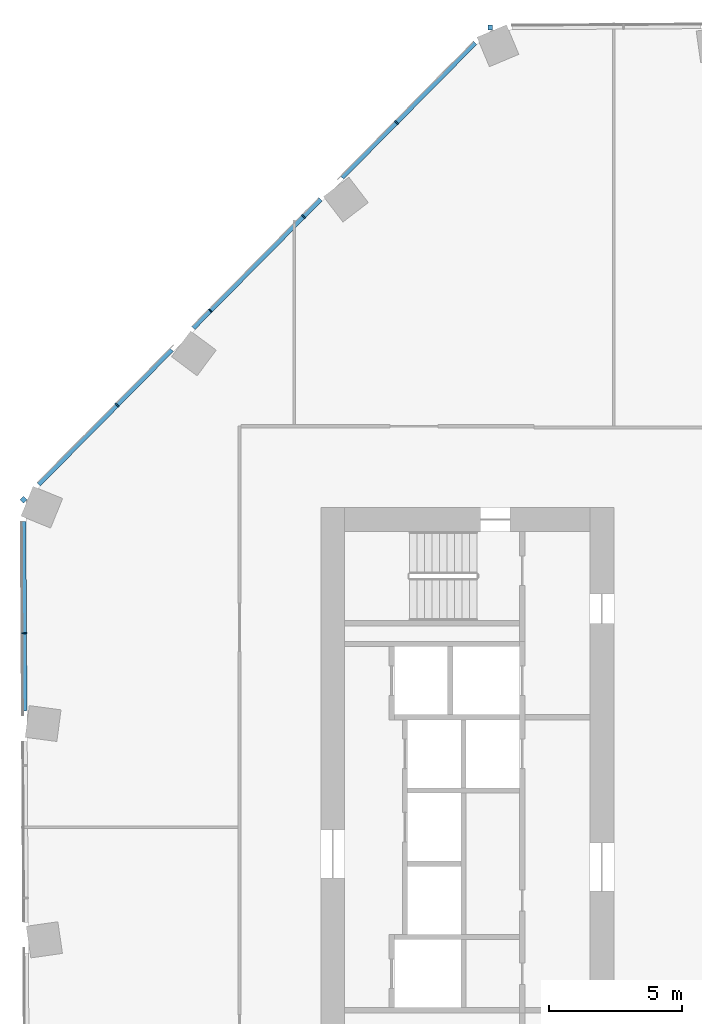
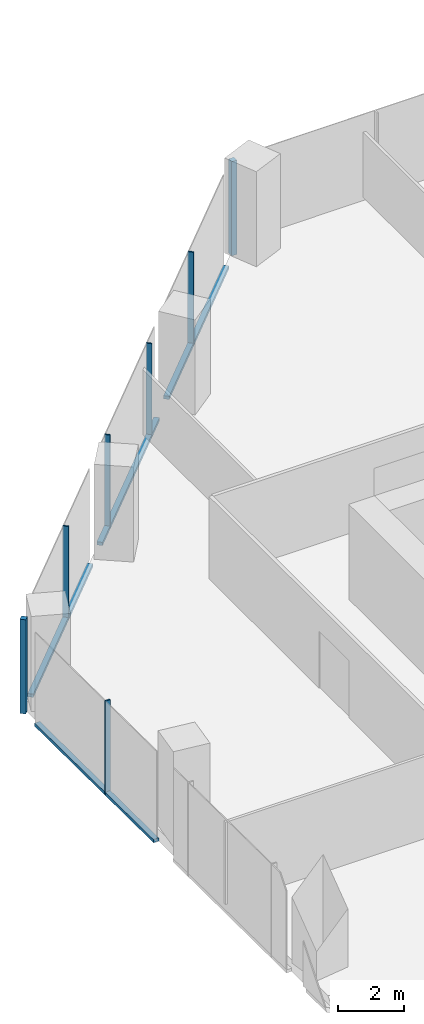
# One storey, part 9 of 27: 11 members, 3 elements without a shape of their own.
"""IFC4 building model written with IfcOpenShell, lengths in metres."""

import ifcopenshell
import ifcopenshell.guid

model = None  # the IFC model being written
_history = None  # IfcOwnerHistory: only IFC2X3 demands one
_inside = {}  # id of a spatial element -> (the spatial element, [elements in it])
_under = {}  # id of a project, library or spatial element -> (it, [spatial elements below it])
_declared = {}  # id of a project -> (the project, [libraries it declares])
_typed = {}  # id of a type object -> (the type object, [elements of that type])
_made_of = {}  # id of a material, layer set ... -> (it, [elements and type objects made of it])


def new_model(schema):
    """Start an empty IFC model of exactly this schema.

    Asked for "IFC4X3", IfcOpenShell would pick the latest addendum, in which some entities
    have other attributes; the version numbers below select the first issue.
    IFC2X3 requires an IfcOwnerHistory on every rooted entity: one is made here for all.
    """
    global model, _history
    if schema == "IFC4X3":
        model = ifcopenshell.file(schema_version=(4, 3, 0, 0))
    else:
        model = ifcopenshell.file(schema=schema)
    _inside.clear()
    _under.clear()
    _declared.clear()
    _typed.clear()
    _made_of.clear()
    _history = None
    if model.schema == "IFC2X3":
        org = make("IfcOrganization", Name="unknown")
        user = make(
            "IfcPersonAndOrganization",
            ThePerson=make("IfcPerson", FamilyName="unknown"),
            TheOrganization=org,
        )
        app = make(
            "IfcApplication",
            ApplicationDeveloper=org,
            Version="unknown",
            ApplicationFullName="unknown",
            ApplicationIdentifier="unknown",
        )
        _history = make(
            "IfcOwnerHistory",
            OwningUser=user,
            OwningApplication=app,
            ChangeAction="ADDED",
            CreationDate=0,
        )
    return model


def make(cls, **values):
    """One entity of the class cls with the attributes given. An attribute that is None is left unset."""
    return model.create_entity(
        cls, **{name: value for name, value in values.items() if value is not None}
    )


def rooted(cls, **values):
    """An entity with a GlobalId (a new one), such as an element, a storey or a relation."""
    return make(cls, GlobalId=ifcopenshell.guid.new(), OwnerHistory=_history, **values)


def si_unit(unit_type, name, prefix=None):
    """IfcSIUnit, for example si_unit("LENGTHUNIT", "METRE", prefix="MILLI")."""
    return make("IfcSIUnit", UnitType=unit_type, Prefix=prefix, Name=name)


def assignment(units):
    """IfcUnitAssignment: the units of a project."""
    return None if units is None else make("IfcUnitAssignment", Units=units)


def point(xyz):
    """IfcCartesianPoint."""
    return None if xyz is None else make("IfcCartesianPoint", Coordinates=xyz)


def direction(xyz):
    """IfcDirection."""
    return None if xyz is None else make("IfcDirection", DirectionRatios=xyz)


def frame(location, z_axis=None, x_axis=None):
    """IfcAxis2Placement3D, a coordinate frame: its origin and axes. An axis left out is left unset."""
    return make(
        "IfcAxis2Placement3D",
        Location=point(location),
        Axis=direction(z_axis),
        RefDirection=direction(x_axis),
    )


def frame_2d(location, x_axis=None):
    """IfcAxis2Placement2D, a coordinate frame in the plane: its origin and x axis."""
    return make(
        "IfcAxis2Placement2D", Location=point(location), RefDirection=direction(x_axis)
    )


def origin():
    """The frame at (0, 0, 0) with its axes left unset."""
    return frame((0.0, 0.0, 0.0))


def origin_2d():
    """The frame at (0, 0) in the plane with its x axis left unset."""
    return frame_2d((0.0, 0.0))


def place(relative_to, where):
    """IfcLocalPlacement: puts the frame where relative to a parent placement (None: the world)."""
    return make(
        "IfcLocalPlacement", PlacementRelTo=relative_to, RelativePlacement=where
    )


def context(
    kind, dimensions, precision=None, world=None, true_north=None, identifier=None
):
    """IfcGeometricRepresentationContext, for example the 3D "Model" context."""
    return make(
        "IfcGeometricRepresentationContext",
        ContextIdentifier=identifier,
        ContextType=kind,
        CoordinateSpaceDimension=dimensions,
        Precision=precision,
        WorldCoordinateSystem=world,
        TrueNorth=true_north,
    )


def subcontext(parent, identifier, kind, view, scale=None):
    """IfcGeometricRepresentationSubContext, for example "Body" below "Model"."""
    return make(
        "IfcGeometricRepresentationSubContext",
        ContextIdentifier=identifier,
        ContextType=kind,
        ParentContext=parent,
        TargetScale=scale,
        TargetView=view,
    )


def project(units=None, contexts=None):
    """IfcProject with its units and contexts."""
    return rooted(
        "IfcProject",
        Name="project",
        RepresentationContexts=contexts,
        UnitsInContext=assignment(units),
    )


def spatial(cls, under=None, at=None, **own):
    """A site, building, storey or space (cls), placed at a placement, below another one or the project."""
    s = rooted(cls, ObjectPlacement=at, **own)
    if under is not None:
        _under.setdefault(under.id(), (under, []))[1].append(s)
    return s


def profile(cls, at=None, kind="AREA", **sizes):
    """A parametric profile (cls). Its sizes go by their IFC names, for example OverallWidth=200.0."""
    return make(cls, ProfileType=kind, Position=at, **sizes)


def rectangle(**sizes):
    """IfcRectangleProfileDef."""
    return profile("IfcRectangleProfileDef", **sizes)


def extrude(swept, where, along, depth):
    """IfcExtrudedAreaSolid: the profile swept, set in the frame where, extruded along a direction by depth."""
    return make(
        "IfcExtrudedAreaSolid",
        SweptArea=swept,
        Position=where,
        ExtrudedDirection=direction(along),
        Depth=depth,
    )


def shape(context_of_items, identifier, shape_type, items):
    """IfcShapeRepresentation: the items that make up one representation, for example the "Body"."""
    return make(
        "IfcShapeRepresentation",
        ContextOfItems=context_of_items,
        RepresentationIdentifier=identifier,
        RepresentationType=shape_type,
        Items=items,
    )


def material(Name=None, Category=None):
    """IfcMaterial."""
    return make("IfcMaterial", Name=Name, Category=Category)


def material_profile(
    of_material, cross_section, Name=None, Category=None, Priority=None
):
    """IfcMaterialProfile: a cross section and its material."""
    return make(
        "IfcMaterialProfile",
        Name=Name,
        Material=of_material,
        Profile=cross_section,
        Priority=Priority,
        Category=Category,
    )


def profile_set(profiles, Name=None, composite=None):
    """IfcMaterialProfileSet."""
    return make(
        "IfcMaterialProfileSet",
        Name=Name,
        MaterialProfiles=profiles,
        CompositeProfile=composite,
    )


def made_of(thing, what):
    """Note that an element or type object is made of a material, layer set ...; save() writes the relation."""
    if what is not None:
        _made_of.setdefault(what.id(), (what, []))[1].append(thing)
    return thing


def type_object(cls, material=None, **own):
    """A type object (cls), such as IfcWallType, which elements share."""
    return made_of(rooted(cls, **own), material)


def element(
    cls,
    number,
    at=None,
    inside=None,
    cuts=None,
    type_object=None,
    material=None,
    context=None,
    identifier="Body",
    shape_type=None,
    held_by="IfcProductDefinitionShape",
    body=None,
    shapes=None,
    **own,
):
    """One element of the class cls, such as IfcWall. Its Tag is "e" and its number.

    at: its placement. inside: the storey or other place that contains it. cuts: it is an
    opening in that element (IfcRelVoidsElement). A single representation is given by context,
    identifier, shape_type and body (its items); several are given by shapes. held_by: the class
    of the entity that holds the representations. save() writes the other relations.
    """
    e = rooted(cls, Tag="e%d" % number, ObjectPlacement=at, **own)
    if body is not None:
        shapes = [shape(context, identifier, shape_type, body)]
    if shapes is not None:
        e.Representation = make(held_by, Representations=shapes)
    if inside is not None:
        _inside.setdefault(inside.id(), (inside, []))[1].append(e)
    if cuts is not None:
        rooted(
            "IfcRelVoidsElement", RelatingBuildingElement=cuts, RelatedOpeningElement=e
        )
    if type_object is not None:
        _typed.setdefault(type_object.id(), (type_object, []))[1].append(e)
    return made_of(e, material)


def aggregate(whole, parts):
    """IfcRelAggregates: a whole, such as a stair, and the parts it consists of."""
    return rooted("IfcRelAggregates", RelatingObject=whole, RelatedObjects=parts)


def save(model, path):
    """Write the relations noted so far, then the file.

    IfcRelAggregates (storeys below a building ...), IfcRelContainedInSpatialStructure (elements
    in a storey), IfcRelDefinesByType, IfcRelAssociatesMaterial and IfcRelDeclares: one each for
    every whole, place, type object, material and project.
    """
    for whole, parts in _under.values():
        aggregate(whole, parts)
    for where, things in _inside.values():
        rooted(
            "IfcRelContainedInSpatialStructure",
            RelatedElements=things,
            RelatingStructure=where,
        )
    for kind, things in _typed.values():
        rooted("IfcRelDefinesByType", RelatedObjects=things, RelatingType=kind)
    for what, things in _made_of.values():
        rooted("IfcRelAssociatesMaterial", RelatedObjects=things, RelatingMaterial=what)
    for by, libraries in _declared.values():
        rooted("IfcRelDeclares", RelatingContext=by, RelatedDefinitions=libraries)
    model.write(path)


model = new_model("IFC4")

# Units and contexts
model_context = context("Model", 3, precision=1e-05, world=origin(), true_north=direction((0.0, 1.0)))
body_context = subcontext(model_context, "Body", "Model", "MODEL_VIEW")
ifc_project = project(units=[si_unit("LENGTHUNIT", "METRE"), si_unit("AREAUNIT", "SQUARE_METRE"), si_unit("VOLUMEUNIT", "CUBIC_METRE"), si_unit("PLANEANGLEUNIT", "RADIAN"), si_unit("MASSUNIT", "GRAM", prefix="KILO")], contexts=[model_context])

# Site, building, storey
site_placement = place(None, origin())
site = spatial("IfcSite", under=ifc_project, at=site_placement, CompositionType="ELEMENT")
building_placement = place(site_placement, origin())
building = spatial("IfcBuilding", under=site, at=building_placement, Name="Orlundy Tower", CompositionType="ELEMENT")
storey_placement = place(building_placement, frame((0.0, 0.0, 199.10009765625)))
storey = spatial("IfcBuildingStorey", under=building, at=storey_placement, Name="L52", CompositionType="ELEMENT", Elevation=199.10009765625)

# Curtain wall, member
ifc_material_1 = material(Name="Aluminium bronze anodised", Category="aluminium")
curtain_wall_type = type_object("IfcCurtainWallType", Name="CW1 wall", PredefinedType="NOTDEFINED", material=ifc_material_1)
curtain_wall_1_placement = place(storey_placement, origin())
curtain_wall_1 = element("IfcCurtainWall", 1, at=curtain_wall_1_placement, inside=storey, type_object=curtain_wall_type, Name="CW1 run 03", PredefinedType="NOTDEFINED")
ifc_material_2 = material(Name="Aluminium bronze anodised", Category="aluminium")
ifc_material_profile_1 = material_profile(ifc_material_2, rectangle(XDim=0.179931640625, YDim=0.179931640625, at=origin_2d()), Name="CW1 corner post 180x180")
ifc_profile_set_1 = profile_set([ifc_material_profile_1], Name="Aluminium bronze anodised")
member_type_1 = type_object("IfcMemberType", Name="CW1 corner post 180x180", PredefinedType="MULLION", material=ifc_profile_set_1)
member_1_placement = place(storey_placement, frame((-30.162109375, 12.288818359375, -0.420166015625), z_axis=(0.0, 0.0, 1.0), x_axis=(-0.711199102506, 0.702990637629, 0.0)))
member_1 = element("IfcMember", 2, at=member_1_placement, type_object=member_type_1, Name="CW1 mullion 14", PredefinedType="MULLION", context=body_context, shape_type="SweptSolid", body=[
    extrude(rectangle(XDim=0.179931640625, YDim=0.179931640625, at=origin_2d()), origin(), (0.0, 0.0, 1.0), 3.469970703125),
])

curtain_wall_2_placement = place(storey_placement, origin())
curtain_wall_2 = element("IfcCurtainWall", 3, at=curtain_wall_2_placement, inside=storey, type_object=curtain_wall_type, Name="CW1 run 04", PredefinedType="NOTDEFINED")
member_2_placement = place(storey_placement, frame((-12.638916015625, 30.016845703125, -0.420166015625), z_axis=(0.0, 0.0, 1.0), x_axis=(-0.005834206419, 0.999982980873, 0.0)))
member_2 = element("IfcMember", 4, at=member_2_placement, type_object=member_type_1, Name="CW1 mullion 19", PredefinedType="MULLION", context=body_context, shape_type="SweptSolid", body=[
    extrude(rectangle(XDim=0.179931640625, YDim=0.179931640625, at=origin_2d()), origin(), (0.0, 0.0, 1.0), 3.469970703125),
])
aggregate(curtain_wall_2, [member_2])

curtain_wall_3_placement = place(storey_placement, origin())
curtain_wall_3 = element("IfcCurtainWall", 5, at=curtain_wall_3_placement, inside=storey, type_object=curtain_wall_type, Name="CW1 run 02", PredefinedType="NOTDEFINED")
ifc_material_3 = material(Name="Aluminium bronze anodised", Category="aluminium")
ifc_material_profile_2 = material_profile(ifc_material_3, rectangle(XDim=0.179931640625, YDim=0.050048828125, at=origin_2d()), Name="CW1 mullion 50x180")
ifc_profile_set_2 = profile_set([ifc_material_profile_2], Name="Aluminium bronze anodised")
member_type_2 = type_object("IfcMemberType", Name="CW1 mullion 50x180", PredefinedType="MULLION", material=ifc_profile_set_2)
member_3_placement = place(storey_placement, frame((-30.133056640625, 7.28076171875, -0.420166015625), z_axis=(0.0, 0.0, 1.0), x_axis=(-0.999982980873, -0.005834206419, 0.0)))
member_3 = element("IfcMember", 6, at=member_3_placement, type_object=member_type_2, Name="CW1 mullion 13", PredefinedType="MULLION", context=body_context, shape_type="SweptSolid", body=[
    extrude(rectangle(XDim=0.179931640625, YDim=0.050048828125, at=origin_2d()), origin(), (0.0, 0.0, 1.0), 3.469970703125),
])

# Member
member_4_placement = place(storey_placement, frame((-26.641845703125, 15.850341796875, -0.420166015625), z_axis=(0.0, 0.0, 1.0), x_axis=(-0.711199102506, 0.702990637629, 0.0)))
member_4 = element("IfcMember", 7, at=member_4_placement, type_object=member_type_2, Name="CW1 mullion 15", PredefinedType="MULLION", context=body_context, shape_type="SweptSolid", body=[
    extrude(rectangle(XDim=0.179931640625, YDim=0.050048828125, at=origin_2d()), origin(), (0.0, 0.0, 1.0), 3.469970703125),
])

member_5_placement = place(storey_placement, frame((-23.147705078125, 19.38525390625, -0.420166015625), z_axis=(0.0, 0.0, 1.0), x_axis=(-0.711199102506, 0.702990637629, 0.0)))
member_5 = element("IfcMember", 8, at=member_5_placement, type_object=member_type_2, Name="CW1 mullion 16", PredefinedType="MULLION", context=body_context, shape_type="SweptSolid", body=[
    extrude(rectangle(XDim=0.179931640625, YDim=0.050048828125, at=origin_2d()), origin(), (0.0, 0.0, 1.0), 3.469970703125),
])

member_6_placement = place(storey_placement, frame((-19.6533203125, 22.920166015625, -0.420166015625), z_axis=(0.0, 0.0, 1.0), x_axis=(-0.711199102506, 0.702990637629, 0.0)))
member_6 = element("IfcMember", 9, at=member_6_placement, type_object=member_type_2, Name="CW1 mullion 17", PredefinedType="MULLION", context=body_context, shape_type="SweptSolid", body=[
    extrude(rectangle(XDim=0.179931640625, YDim=0.050048828125, at=origin_2d()), origin(), (0.0, 0.0, 1.0), 3.469970703125),
])

member_7_placement = place(storey_placement, frame((-16.1591796875, 26.455322265625, -0.420166015625), z_axis=(0.0, 0.0, 1.0), x_axis=(-0.711199102506, 0.702990637629, 0.0)))
member_7 = element("IfcMember", 10, at=member_7_placement, type_object=member_type_2, Name="CW1 mullion 18", PredefinedType="MULLION", context=body_context, shape_type="SweptSolid", body=[
    extrude(rectangle(XDim=0.179931640625, YDim=0.050048828125, at=origin_2d()), origin(), (0.0, 0.0, 1.0), 3.469970703125),
])

ifc_material_4 = material(Name="Aluminium bronze anodised", Category="aluminium")
ifc_material_profile_3 = material_profile(ifc_material_4, rectangle(XDim=0.179931640625, YDim=0.1201171875, at=origin_2d()), Name="CW1 transom 180x120")
ifc_profile_set_3 = profile_set([ifc_material_profile_3], Name="Aluminium bronze anodised")
member_type_3 = type_object("IfcMemberType", Name="CW1 transom 180x120", PredefinedType="USERDEFINED", material=ifc_profile_set_3)
member_8_placement = place(storey_placement, frame((-30.115966796875, 4.36865234375, -0.360107421875), z_axis=(-0.005838414073, 0.999982956315, 0.0), x_axis=(-0.999982956315, -0.005838414073, 0.0)))
member_8 = element("IfcMember", 11, at=member_8_placement, type_object=member_type_3, Name="CW1 transom", ObjectType="TRANSOM", PredefinedType="USERDEFINED", context=body_context, shape_type="SweptSolid", body=[
    extrude(rectangle(XDim=0.179931640625, YDim=0.1201171875, at=origin_2d()), origin(), (0.0, 0.0, 1.0), 7.108642578125),
])

aggregate(curtain_wall_3, [member_3, member_8])

member_9_placement = place(storey_placement, frame((-29.59130859375, 12.8662109375, -0.360107421875), z_axis=(0.702972766617, 0.711216766812, 0.0), x_axis=(-0.711216766812, 0.702972766617, 0.0)))
member_9 = element("IfcMember", 12, at=member_9_placement, type_object=member_type_3, Name="CW1 transom", ObjectType="TRANSOM", PredefinedType="USERDEFINED", context=body_context, shape_type="SweptSolid", body=[
    extrude(rectangle(XDim=0.179931640625, YDim=0.1201171875, at=origin_2d()), origin(), (0.0, 0.0, 1.0), 7.107421875),
])

member_10_placement = place(storey_placement, frame((-23.78857421875, 18.73681640625, -0.360107421875), z_axis=(0.70298076766, 0.711208858424, 0.0), x_axis=(-0.711208858424, 0.70298076766, 0.0)))
member_10 = element("IfcMember", 13, at=member_10_placement, type_object=member_type_3, Name="CW1 transom", ObjectType="TRANSOM", PredefinedType="USERDEFINED", context=body_context, shape_type="SweptSolid", body=[
    extrude(rectangle(XDim=0.179931640625, YDim=0.1201171875, at=origin_2d()), origin(), (0.0, 0.0, 1.0), 6.794677734375),
])

member_11_placement = place(storey_placement, frame((-18.2041015625, 24.386474609375, -0.360107421875), z_axis=(0.702988736898, 0.711200981295, 0.0), x_axis=(-0.711200981295, 0.702988736898, 0.0)))
member_11 = element("IfcMember", 14, at=member_11_placement, type_object=member_type_3, Name="CW1 transom", ObjectType="TRANSOM", PredefinedType="USERDEFINED", context=body_context, shape_type="SweptSolid", body=[
    extrude(rectangle(XDim=0.179931640625, YDim=0.1201171875, at=origin_2d()), origin(), (0.0, 0.0, 1.0), 7.105224609375),
])

aggregate(curtain_wall_1, [member_1, member_4, member_5, member_6, member_7, member_9, member_10, member_11])

save(model, "model.ifc")
